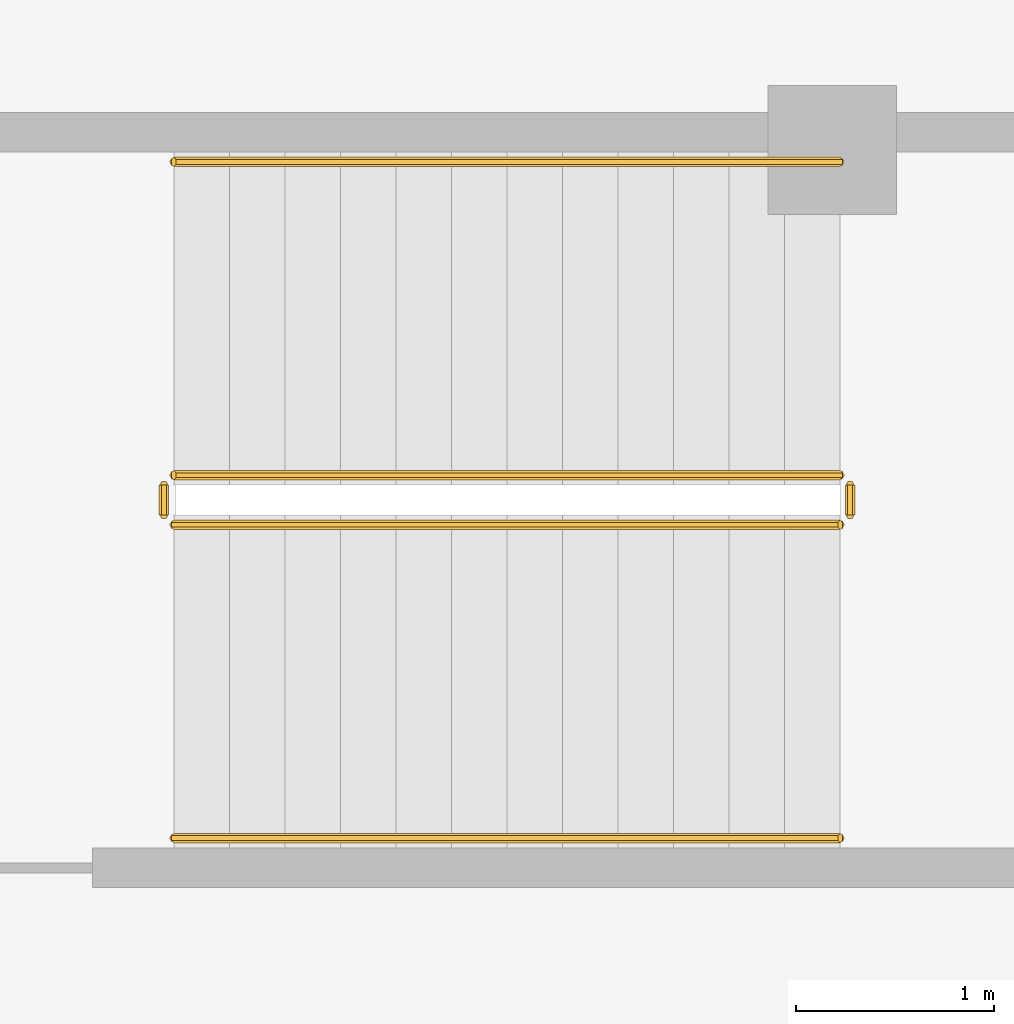
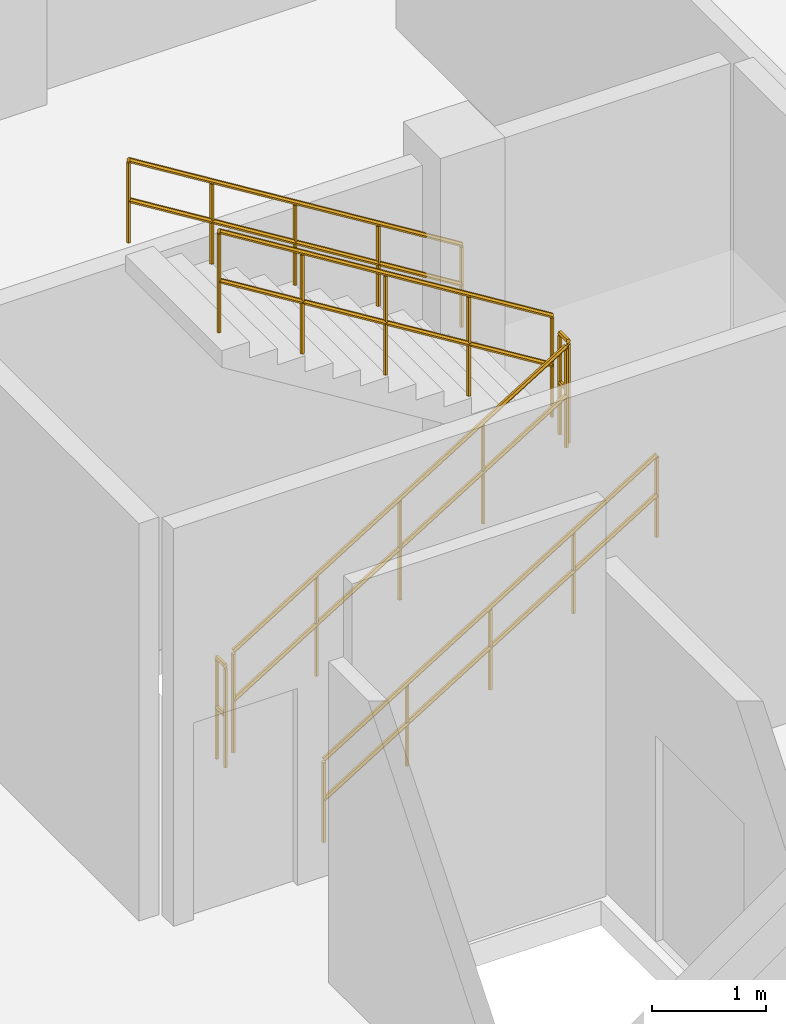
# One storey, part 51 of 52: 6 railings.
"""IFC4 building model written with IfcOpenShell, lengths in metres."""

from ifc_helpers import new_model, si_unit, direction, frame, origin, place, context, subcontext, project, spatial, polyline, outline, extrude, material, type_object, element, save


model = new_model("IFC4")

# Units and contexts
model_context = context("Model", 3, precision=1e-05, world=origin(), true_north=direction((0.0, 1.0)))
body_context = subcontext(model_context, "Body", "Model", "MODEL_VIEW")
ifc_project = project(units=[si_unit("LENGTHUNIT", "METRE"), si_unit("AREAUNIT", "SQUARE_METRE"), si_unit("VOLUMEUNIT", "CUBIC_METRE"), si_unit("PLANEANGLEUNIT", "RADIAN"), si_unit("MASSUNIT", "GRAM", prefix="KILO")], contexts=[model_context])

# Site, building, storey
site_placement = place(None, origin())
site = spatial("IfcSite", under=ifc_project, at=site_placement, CompositionType="ELEMENT")
building_placement = place(site_placement, origin())
building = spatial("IfcBuilding", under=site, at=building_placement, Name="Kelanora Arch Commons", CompositionType="ELEMENT")
storey_placement = place(building_placement, frame((0.0, 0.0, 13.5)))
storey = spatial("IfcBuildingStorey", under=building, at=storey_placement, Name="L03", CompositionType="ELEMENT", Elevation=13.5)

# Railings
ifc_material_1 = material(Name="Painted steel stair well guard", Category="steel")
railing_type_1 = type_object("IfcRailingType", Name="RAIL-STAIR-GRD", PredefinedType="GUARDRAIL", material=ifc_material_1)
railing_1_placement = place(storey_placement, frame((8.679931640625, 72.110107421875, 0.173095703125)))
element("IfcRailing", 1, at=railing_1_placement, inside=storey, type_object=railing_type_1, Name="L03 ST-M3 stair guard 1", PredefinedType="GUARDRAIL", context=body_context, shape_type="SweptSolid", body=[
    extrude(outline(polyline([(0.02392578125, 0.0), (0.011962890625, 0.020751953125), (-0.011962890625, 0.020751953125), (-0.02392578125, 0.0), (-0.011962890625, -0.020751953125), (0.011962890625, -0.020751953125), (0.02392578125, 0.0)])), frame((0.0, 0.0, 1.076171875), z_axis=(0.850623216509, 0.0, 0.525775754039), x_axis=(0.0, 1.0, 0.0)), (0.0, 0.0, 1.0), 3.9501953125),
    extrude(outline(polyline([(0.02392578125, 0.0), (0.011962890625, 0.020751953125), (-0.011962890625, 0.020751953125), (-0.02392578125, 0.0), (-0.011962890625, -0.020751953125), (0.011962890625, -0.020751953125), (0.02392578125, 0.0)])), frame((0.0, 0.0, 0.550048828125), z_axis=(0.850623216509, 0.0, 0.525775754039), x_axis=(0.0, 1.0, 0.0)), (0.0, 0.0, 1.0), 3.9501953125),
    extrude(outline(polyline([(0.02099609375, 0.0), (0.010498046875, 0.01806640625), (-0.010498046875, 0.01806640625), (-0.02099609375, 0.0), (-0.010498046875, -0.01806640625), (0.010498046875, -0.01806640625), (0.02099609375, 0.0)])), origin(), (0.0, 0.0, 1.0), 1.052001953125),
    extrude(outline(polyline([(0.02099609375, 0.0), (0.010498046875, 0.01806640625), (-0.010498046875, 0.01806640625), (-0.02099609375, 0.0), (-0.010498046875, -0.01806640625), (0.010498046875, -0.01806640625), (0.02099609375, 0.0)])), frame((0.840087890625, 0.0, 0.519287109375)), (0.0, 0.0, 1.0), 1.052001953125),
    extrude(outline(polyline([(0.02099609375, 0.0), (0.010498046875, 0.01806640625), (-0.010498046875, 0.01806640625), (-0.02099609375, 0.0), (-0.010498046875, -0.01806640625), (0.010498046875, -0.01806640625), (0.02099609375, 0.0)])), frame((1.68017578125, 0.0, 1.03857421875)), (0.0, 0.0, 1.0), 1.052001953125),
    extrude(outline(polyline([(0.02099609375, 0.0), (0.010498046875, 0.01806640625), (-0.010498046875, 0.01806640625), (-0.02099609375, 0.0), (-0.010498046875, -0.01806640625), (0.010498046875, -0.01806640625), (0.02099609375, 0.0)])), frame((2.52001953125, 0.0, 1.5576171875)), (0.0, 0.0, 1.0), 1.052001953125),
    extrude(outline(polyline([(0.02099609375, 0.0), (0.010498046875, 0.01806640625), (-0.010498046875, 0.01806640625), (-0.02099609375, 0.0), (-0.010498046875, -0.01806640625), (0.010498046875, -0.01806640625), (0.02099609375, 0.0)])), frame((3.360107421875, 0.0, 2.076904296875)), (0.0, 0.0, 1.0), 1.052001953125),
])
railing_2_placement = place(storey_placement, frame((12.090087890625, 72.159912109375, 2.25)))
element("IfcRailing", 2, at=railing_2_placement, inside=storey, type_object=railing_type_1, Name="L03 ST-M3 stair guard 2", PredefinedType="GUARDRAIL", context=body_context, shape_type="SweptSolid", body=[
    extrude(outline(polyline([(0.02392578125, 0.0), (0.011962890625, 0.020751953125), (-0.011962890625, 0.020751953125), (-0.02392578125, 0.0), (-0.011962890625, -0.020751953125), (0.011962890625, -0.020751953125), (0.02392578125, 0.0)])), frame((0.0, 0.0, 1.076171875), z_axis=(0.0, 1.0, 0.0), x_axis=(-1.0, 0.0, 0.0)), (0.0, 0.0, 1.0), 0.150146484375),
    extrude(outline(polyline([(0.02392578125, 0.0), (0.011962890625, 0.020751953125), (-0.011962890625, 0.020751953125), (-0.02392578125, 0.0), (-0.011962890625, -0.020751953125), (0.011962890625, -0.020751953125), (0.02392578125, 0.0)])), frame((0.0, 0.0, 0.550048828125), z_axis=(0.0, 1.0, 0.0), x_axis=(-1.0, 0.0, 0.0)), (0.0, 0.0, 1.0), 0.150146484375),
    extrude(outline(polyline([(0.02099609375, 0.0), (0.010498046875, 0.01806640625), (-0.010498046875, 0.01806640625), (-0.02099609375, 0.0), (-0.010498046875, -0.01806640625), (0.010498046875, -0.01806640625), (0.02099609375, 0.0)])), origin(), (0.0, 0.0, 1.0), 1.052001953125),
    extrude(outline(polyline([(0.02099609375, 0.0), (0.010498046875, 0.01806640625), (-0.010498046875, 0.01806640625), (-0.02099609375, 0.0), (-0.010498046875, -0.01806640625), (0.010498046875, -0.01806640625), (0.02099609375, 0.0)])), frame((0.0, 0.150146484375, 0.0)), (0.0, 0.0, 1.0), 1.052001953125),
])
railing_3_placement = place(storey_placement, frame((12.0400390625, 72.360107421875, 2.423095703125)))
element("IfcRailing", 3, at=railing_3_placement, inside=storey, type_object=railing_type_1, Name="L03 ST-M3 stair guard 3", PredefinedType="GUARDRAIL", context=body_context, shape_type="SweptSolid", body=[
    extrude(outline(polyline([(0.02392578125, 0.0), (0.011962890625, 0.020751953125), (-0.011962890625, 0.020751953125), (-0.02392578125, 0.0), (-0.011962890625, -0.020751953125), (0.011962890625, -0.020751953125), (0.02392578125, 0.0)])), frame((0.0, 0.0, 1.076171875), z_axis=(-0.850623216509, 0.0, 0.525775754039), x_axis=(0.0, -1.0, 0.0)), (0.0, 0.0, 1.0), 3.9501953125),
    extrude(outline(polyline([(0.02392578125, 0.0), (0.011962890625, 0.020751953125), (-0.011962890625, 0.020751953125), (-0.02392578125, 0.0), (-0.011962890625, -0.020751953125), (0.011962890625, -0.020751953125), (0.02392578125, 0.0)])), frame((0.0, 0.0, 0.550048828125), z_axis=(-0.850623216509, 0.0, 0.525775754039), x_axis=(0.0, -1.0, 0.0)), (0.0, 0.0, 1.0), 3.9501953125),
    extrude(outline(polyline([(0.02099609375, 0.0), (0.010498046875, 0.01806640625), (-0.010498046875, 0.01806640625), (-0.02099609375, 0.0), (-0.010498046875, -0.01806640625), (0.010498046875, -0.01806640625), (0.02099609375, 0.0)])), origin(), (0.0, 0.0, 1.0), 1.052001953125),
    extrude(outline(polyline([(0.02099609375, 0.0), (0.010498046875, 0.01806640625), (-0.010498046875, 0.01806640625), (-0.02099609375, 0.0), (-0.010498046875, -0.01806640625), (0.010498046875, -0.01806640625), (0.02099609375, 0.0)])), frame((-0.840087890625, 0.0, 0.519287109375)), (0.0, 0.0, 1.0), 1.052001953125),
    extrude(outline(polyline([(0.02099609375, 0.0), (0.010498046875, 0.01806640625), (-0.010498046875, 0.01806640625), (-0.02099609375, 0.0), (-0.010498046875, -0.01806640625), (0.010498046875, -0.01806640625), (0.02099609375, 0.0)])), frame((-1.68017578125, 0.0, 1.03857421875)), (0.0, 0.0, 1.0), 1.052001953125),
    extrude(outline(polyline([(0.02099609375, 0.0), (0.010498046875, 0.01806640625), (-0.010498046875, 0.01806640625), (-0.02099609375, 0.0), (-0.010498046875, -0.01806640625), (0.010498046875, -0.01806640625), (0.02099609375, 0.0)])), frame((-2.52001953125, 0.0, 1.5576171875)), (0.0, 0.0, 1.0), 1.052001953125),
    extrude(outline(polyline([(0.02099609375, 0.0), (0.010498046875, 0.01806640625), (-0.010498046875, 0.01806640625), (-0.02099609375, 0.0), (-0.010498046875, -0.01806640625), (0.010498046875, -0.01806640625), (0.02099609375, 0.0)])), frame((-3.360107421875, 0.0, 2.076904296875)), (0.0, 0.0, 1.0), 1.052001953125),
])
railing_4_placement = place(storey_placement, frame((8.6298828125, 72.159912109375, 0.0)))
element("IfcRailing", 4, at=railing_4_placement, inside=storey, type_object=railing_type_1, Name="L03 ST-M3 stair guard 4", PredefinedType="GUARDRAIL", context=body_context, shape_type="SweptSolid", body=[
    extrude(outline(polyline([(0.02392578125, 0.0), (0.011962890625, 0.020751953125), (-0.011962890625, 0.020751953125), (-0.02392578125, 0.0), (-0.011962890625, -0.020751953125), (0.011962890625, -0.020751953125), (0.02392578125, 0.0)])), frame((0.0, 0.0, 1.076171875), z_axis=(0.0, 1.0, 0.0), x_axis=(-1.0, 0.0, 0.0)), (0.0, 0.0, 1.0), 0.150146484375),
    extrude(outline(polyline([(0.02392578125, 0.0), (0.011962890625, 0.020751953125), (-0.011962890625, 0.020751953125), (-0.02392578125, 0.0), (-0.011962890625, -0.020751953125), (0.011962890625, -0.020751953125), (0.02392578125, 0.0)])), frame((0.0, 0.0, 0.550048828125), z_axis=(0.0, 1.0, 0.0), x_axis=(-1.0, 0.0, 0.0)), (0.0, 0.0, 1.0), 0.150146484375),
    extrude(outline(polyline([(0.02099609375, 0.0), (0.010498046875, 0.01806640625), (-0.010498046875, 0.01806640625), (-0.02099609375, 0.0), (-0.010498046875, -0.01806640625), (0.010498046875, -0.01806640625), (0.02099609375, 0.0)])), origin(), (0.0, 0.0, 1.0), 1.052001953125),
    extrude(outline(polyline([(0.02099609375, 0.0), (0.010498046875, 0.01806640625), (-0.010498046875, 0.01806640625), (-0.02099609375, 0.0), (-0.010498046875, -0.01806640625), (0.010498046875, -0.01806640625), (0.02099609375, 0.0)])), frame((0.0, 0.150146484375, 0.0)), (0.0, 0.0, 1.0), 1.052001953125),
])
ifc_material_2 = material(Name="Brushed stainless steel stair handrail", Category="steel")
railing_type_2 = type_object("IfcRailingType", Name="RAIL-STAIR-HND", PredefinedType="HANDRAIL", material=ifc_material_2)
railing_5_placement = place(storey_placement, frame((8.679931640625, 70.530029296875, 0.173095703125)))
element("IfcRailing", 5, at=railing_5_placement, inside=storey, type_object=railing_type_2, Name="L03 ST-M3 stair handrail 1", PredefinedType="HANDRAIL", context=body_context, shape_type="SweptSolid", body=[
    extrude(outline(polyline([(0.02392578125, 0.0), (0.011962890625, 0.020751953125), (-0.011962890625, 0.020751953125), (-0.02392578125, 0.0), (-0.011962890625, -0.020751953125), (0.011962890625, -0.020751953125), (0.02392578125, 0.0)])), frame((0.0, 0.0, 0.8759765625), z_axis=(0.850623216509, 0.0, 0.525775754039), x_axis=(0.0, 1.0, 0.0)), (0.0, 0.0, 1.0), 3.9501953125),
    extrude(outline(polyline([(0.02392578125, 0.0), (0.011962890625, 0.020751953125), (-0.011962890625, 0.020751953125), (-0.02392578125, 0.0), (-0.011962890625, -0.020751953125), (0.011962890625, -0.020751953125), (0.02392578125, 0.0)])), frame((0.0, 0.0, 0.449951171875), z_axis=(0.850623216509, 0.0, 0.525775754039), x_axis=(0.0, 1.0, 0.0)), (0.0, 0.0, 1.0), 3.9501953125),
    extrude(outline(polyline([(0.02099609375, 0.0), (0.010498046875, 0.01806640625), (-0.010498046875, 0.01806640625), (-0.02099609375, 0.0), (-0.010498046875, -0.01806640625), (0.010498046875, -0.01806640625), (0.02099609375, 0.0)])), origin(), (0.0, 0.0, 1.0), 0.851806640625),
    extrude(outline(polyline([(0.02099609375, 0.0), (0.010498046875, 0.01806640625), (-0.010498046875, 0.01806640625), (-0.02099609375, 0.0), (-0.010498046875, -0.01806640625), (0.010498046875, -0.01806640625), (0.02099609375, 0.0)])), frame((0.840087890625, 0.0, 0.519287109375)), (0.0, 0.0, 1.0), 0.851806640625),
    extrude(outline(polyline([(0.02099609375, 0.0), (0.010498046875, 0.01806640625), (-0.010498046875, 0.01806640625), (-0.02099609375, 0.0), (-0.010498046875, -0.01806640625), (0.010498046875, -0.01806640625), (0.02099609375, 0.0)])), frame((1.68017578125, 0.0, 1.03857421875)), (0.0, 0.0, 1.0), 0.851806640625),
    extrude(outline(polyline([(0.02099609375, 0.0), (0.010498046875, 0.01806640625), (-0.010498046875, 0.01806640625), (-0.02099609375, 0.0), (-0.010498046875, -0.01806640625), (0.010498046875, -0.01806640625), (0.02099609375, 0.0)])), frame((2.52001953125, 0.0, 1.5576171875)), (0.0, 0.0, 1.0), 0.851806640625),
    extrude(outline(polyline([(0.02099609375, 0.0), (0.010498046875, 0.01806640625), (-0.010498046875, 0.01806640625), (-0.02099609375, 0.0), (-0.010498046875, -0.01806640625), (0.010498046875, -0.01806640625), (0.02099609375, 0.0)])), frame((3.360107421875, 0.0, 2.076904296875)), (0.0, 0.0, 1.0), 0.851806640625),
])
railing_6_placement = place(storey_placement, frame((12.0400390625, 73.93994140625, 2.423095703125)))
element("IfcRailing", 6, at=railing_6_placement, inside=storey, type_object=railing_type_2, Name="L03 ST-M3 stair handrail 2", PredefinedType="HANDRAIL", context=body_context, shape_type="SweptSolid", body=[
    extrude(outline(polyline([(0.02392578125, 0.0), (0.011962890625, 0.020751953125), (-0.011962890625, 0.020751953125), (-0.02392578125, 0.0), (-0.011962890625, -0.020751953125), (0.011962890625, -0.020751953125), (0.02392578125, 0.0)])), frame((0.0, 0.0, 0.8759765625), z_axis=(-0.850623216509, 0.0, 0.525775754039), x_axis=(0.0, -1.0, 0.0)), (0.0, 0.0, 1.0), 3.9501953125),
    extrude(outline(polyline([(0.02392578125, 0.0), (0.011962890625, 0.020751953125), (-0.011962890625, 0.020751953125), (-0.02392578125, 0.0), (-0.011962890625, -0.020751953125), (0.011962890625, -0.020751953125), (0.02392578125, 0.0)])), frame((0.0, 0.0, 0.449951171875), z_axis=(-0.850623216509, 0.0, 0.525775754039), x_axis=(0.0, -1.0, 0.0)), (0.0, 0.0, 1.0), 3.9501953125),
    extrude(outline(polyline([(0.02099609375, 0.0), (0.010498046875, 0.01806640625), (-0.010498046875, 0.01806640625), (-0.02099609375, 0.0), (-0.010498046875, -0.01806640625), (0.010498046875, -0.01806640625), (0.02099609375, 0.0)])), origin(), (0.0, 0.0, 1.0), 0.851806640625),
    extrude(outline(polyline([(0.02099609375, 0.0), (0.010498046875, 0.01806640625), (-0.010498046875, 0.01806640625), (-0.02099609375, 0.0), (-0.010498046875, -0.01806640625), (0.010498046875, -0.01806640625), (0.02099609375, 0.0)])), frame((-0.840087890625, 0.0, 0.519287109375)), (0.0, 0.0, 1.0), 0.851806640625),
    extrude(outline(polyline([(0.02099609375, 0.0), (0.010498046875, 0.01806640625), (-0.010498046875, 0.01806640625), (-0.02099609375, 0.0), (-0.010498046875, -0.01806640625), (0.010498046875, -0.01806640625), (0.02099609375, 0.0)])), frame((-1.68017578125, 0.0, 1.03857421875)), (0.0, 0.0, 1.0), 0.851806640625),
    extrude(outline(polyline([(0.02099609375, 0.0), (0.010498046875, 0.01806640625), (-0.010498046875, 0.01806640625), (-0.02099609375, 0.0), (-0.010498046875, -0.01806640625), (0.010498046875, -0.01806640625), (0.02099609375, 0.0)])), frame((-2.52001953125, 0.0, 1.5576171875)), (0.0, 0.0, 1.0), 0.851806640625),
    extrude(outline(polyline([(0.02099609375, 0.0), (0.010498046875, 0.01806640625), (-0.010498046875, 0.01806640625), (-0.02099609375, 0.0), (-0.010498046875, -0.01806640625), (0.010498046875, -0.01806640625), (0.02099609375, 0.0)])), frame((-3.360107421875, 0.0, 2.076904296875)), (0.0, 0.0, 1.0), 0.851806640625),
])

save(model, "model.ifc")
